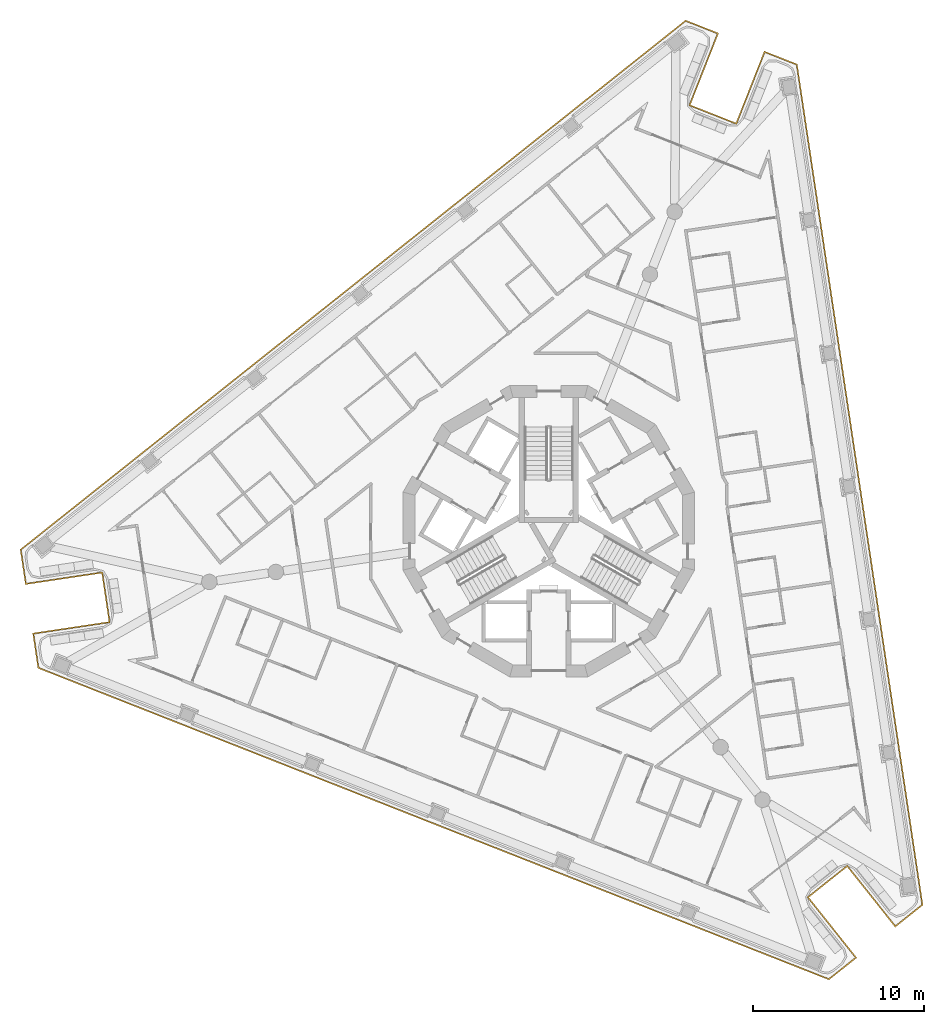
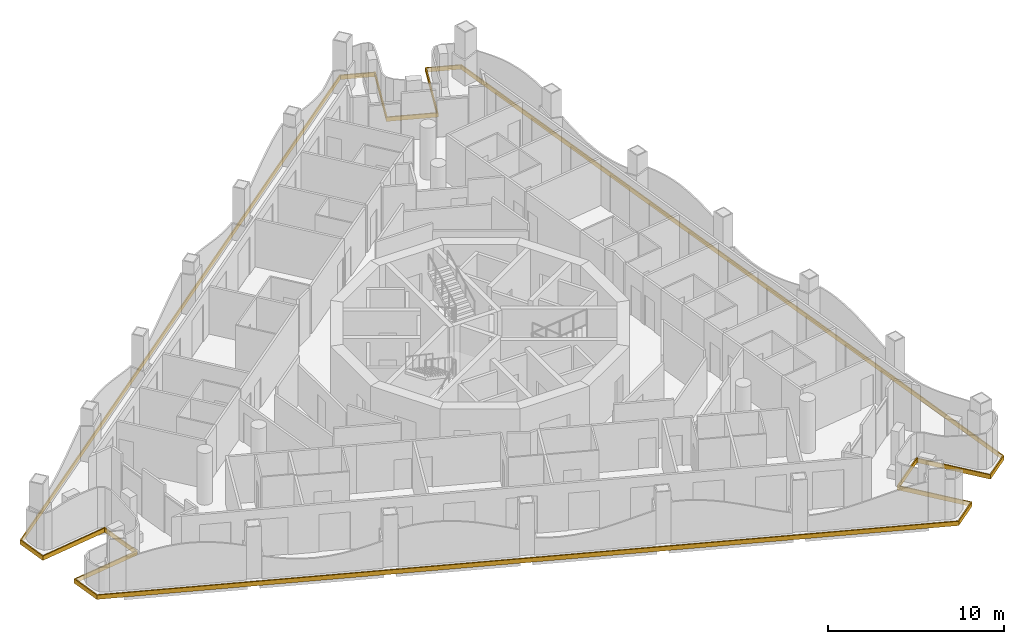
# One storey, part 12 of 16: 1 covering.
"""IFC4 building model written with IfcOpenShell, lengths in metres."""

from ifc_helpers import new_model, si_unit, direction, frame, origin, place, context, subcontext, project, spatial, polyline, outline, extrude, material, layer, layer_set, type_object, element, save


model = new_model("IFC4")

# Units and contexts
model_context = context("Model", 3, precision=1e-05, world=origin(), true_north=direction((0.0, 1.0)))
body_context = subcontext(model_context, "Body", "Model", "MODEL_VIEW")
ifc_project = project(units=[si_unit("LENGTHUNIT", "METRE"), si_unit("AREAUNIT", "SQUARE_METRE"), si_unit("VOLUMEUNIT", "CUBIC_METRE"), si_unit("PLANEANGLEUNIT", "RADIAN"), si_unit("MASSUNIT", "GRAM", prefix="KILO")], contexts=[model_context])

# Site, building, storey
site_placement = place(None, origin())
site = spatial("IfcSite", under=ifc_project, at=site_placement, CompositionType="ELEMENT")
building_placement = place(site_placement, origin())
building = spatial("IfcBuilding", under=site, at=building_placement, Name="Trine Commons Tower", CompositionType="ELEMENT")
storey_placement = place(building_placement, frame((0.0, 0.0, 223.199951171875)))
storey = spatial("IfcBuildingStorey", under=building, at=storey_placement, Name="L58", CompositionType="ELEMENT", Elevation=223.199951171875)

# Covering
ifc_material = material(Name="Limestone, honed", Category="masonry")
ifc_layer = layer(ifc_material, 0.074951171875)
ifc_layer_set = layer_set([ifc_layer], Name="Limestone, honed")
covering_type = type_object("IfcCoveringType", Name="Limestone spandrel panel 75", PredefinedType="CLADDING", material=ifc_layer_set)
covering_placement = place(storey_placement, frame((0.0, 0.0, -0.300048828125)))
element("IfcCovering", 1, at=covering_placement, inside=storey, type_object=covering_type, Name="Limestone spandrel panel 6-01", PredefinedType="CLADDING", context=body_context, shape_type="SweptSolid", body=[
    extrude(outline(polyline([(97.397705078125, 42.917236328125), (100.198974609375, 39.3955078125), (101.82861328125, 40.69189453125), (94.498779296875, 89.7373046875), (92.561279296875, 90.50048828125), (90.912109375, 86.313720703125), (88.26025390625, 87.358154296875), (89.90966796875, 91.545166015625), (87.97216796875, 92.308349609375), (49.162353515625, 61.4375), (49.47021484375, 59.378173828125), (53.9208984375, 60.043212890625), (54.342041015625, 57.224609375), (49.891357421875, 56.559326171875), (50.19921875, 54.5), (96.3388671875, 36.324951171875), (97.968505859375, 37.621337890625), (95.167236328125, 41.14306640625), (97.397705078125, 42.917236328125)]), holes=[polyline([(92.603515625, 90.4033203125), (94.430908203125, 89.683349609375), (101.748046875, 40.7236328125), (100.2109375, 39.5009765625), (97.40966796875, 43.022705078125), (95.061767578125, 41.155029296875), (97.86328125, 37.63330078125), (96.325927734375, 36.41064453125), (50.26708984375, 54.5537109375), (49.976806640625, 56.496337890625), (54.42724609375, 57.16162109375), (53.98388671875, 60.12841796875), (49.533203125, 59.46337890625), (49.242919921875, 61.406005859375), (87.98486328125, 92.22265625), (89.812255859375, 91.502685546875), (88.1630859375, 87.31591796875), (90.954345703125, 86.21630859375), (92.603515625, 90.4033203125)])]), origin(), (0.0, 0.0, 1.0), 0.300048828125),
])

save(model, "model.ifc")
